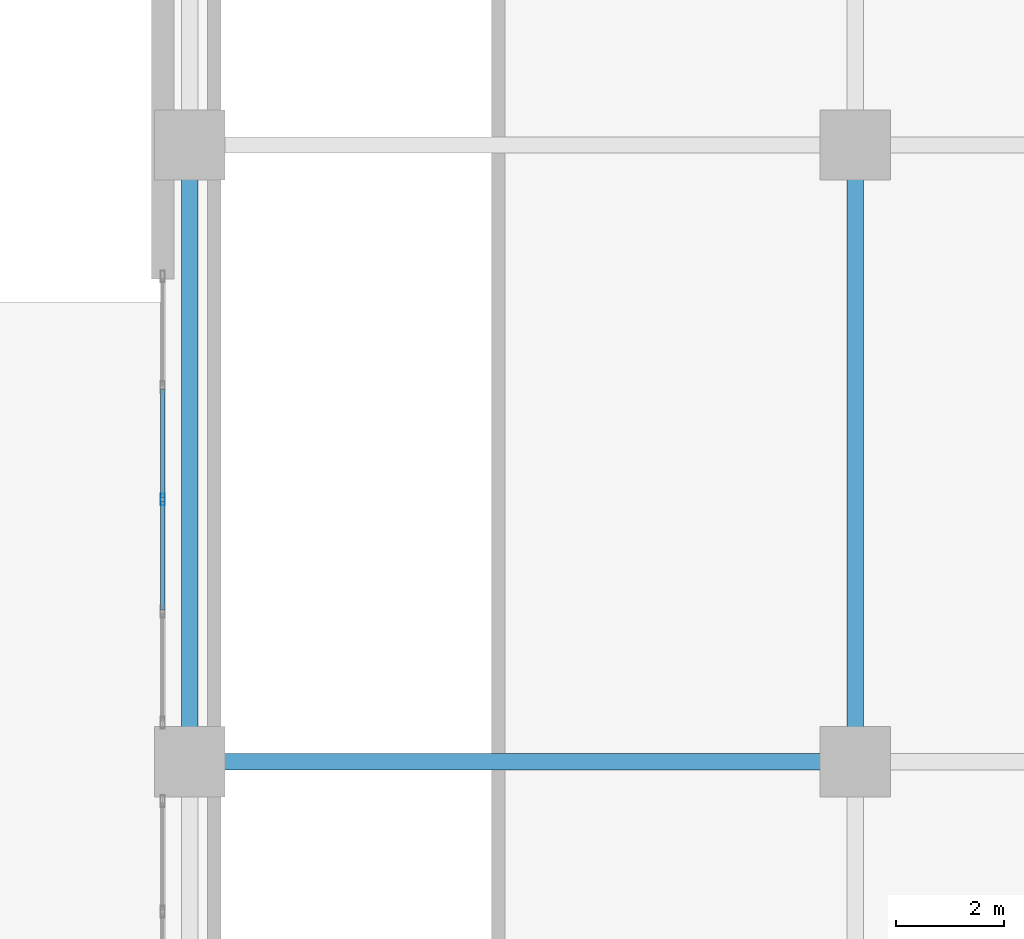
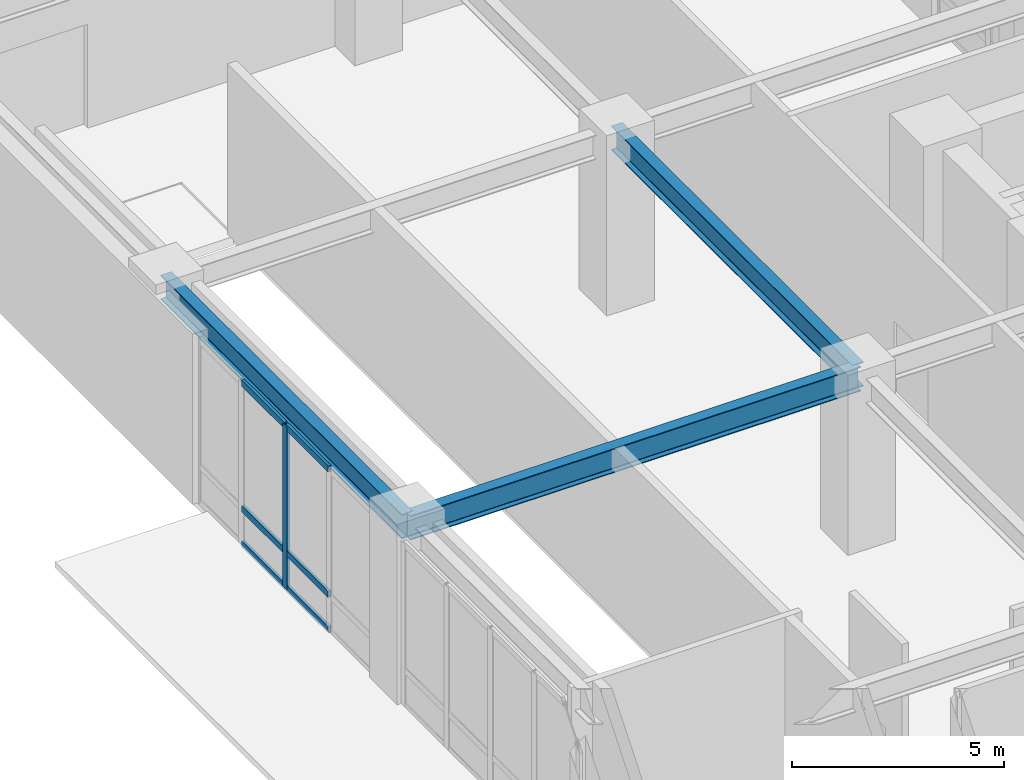
# One storey, part 4 of 23: 7 members, 3 beams, 1 element without a shape of its own.
"""IFC4 building model written with IfcOpenShell, lengths in metres."""

from ifc_helpers import new_model, si_unit, direction, frame, origin, origin_2d, place, context, subcontext, project, spatial, hollow_rectangle, i_section, extrude, material, layer, layer_set, material_profile, profile_set, type_object, element, aggregate, save


model = new_model("IFC4")

# Units and contexts
model_context = context("Model", 3, precision=1e-05, world=origin(), true_north=direction((0.0, 1.0)))
body_context = subcontext(model_context, "Body", "Model", "MODEL_VIEW")
ifc_project = project(units=[si_unit("LENGTHUNIT", "METRE"), si_unit("AREAUNIT", "SQUARE_METRE"), si_unit("VOLUMEUNIT", "CUBIC_METRE"), si_unit("PLANEANGLEUNIT", "RADIAN"), si_unit("MASSUNIT", "GRAM", prefix="KILO")], contexts=[model_context])

# Site, building, storey
site_placement = place(None, origin())
site = spatial("IfcSite", under=ifc_project, at=site_placement, CompositionType="ELEMENT")
building_placement = place(site_placement, origin())
building = spatial("IfcBuilding", under=site, at=building_placement, Name="Voryun Gate Residences", CompositionType="ELEMENT")
storey_placement = place(building_placement, origin())
storey = spatial("IfcBuildingStorey", under=building, at=storey_placement, Name="L00", CompositionType="ELEMENT", Elevation=0.0)

# Beams
ifc_material_1 = material(Name="Steel SM355", Category="steel")
ifc_material_profile_1 = material_profile(ifc_material_1, i_section(OverallWidth=0.300048828125, OverallDepth=0.699951171875, WebThickness=0.012939453125, FlangeThickness=0.02392578125, FilletRadius=0.01806640625, at=origin_2d()), Name="H-700x300x13x24")
ifc_profile_set_1 = profile_set([ifc_material_profile_1], Name="Steel SM355")
beam_type = type_object("IfcBeamType", Name="BM_GIRD_700", PredefinedType="USERDEFINED", material=ifc_profile_set_1)
beam_placement = place(storey_placement, frame((-37.89990234375, 0.0, 4.570068359375), z_axis=(1.0, 0.0, 0.0), x_axis=(0.0, 1.0, 0.0)))
element("IfcBeam", 1, at=beam_placement, inside=storey, type_object=beam_type, Name="BM-L00-PWX-+0.0-0", ObjectType="GIRDER", PredefinedType="USERDEFINED", context=body_context, shape_type="SweptSolid", body=[
    extrude(i_section(OverallWidth=0.300048828125, OverallDepth=0.699951171875, WebThickness=0.012939453125, FlangeThickness=0.02392578125, FilletRadius=0.01806640625, at=origin_2d()), origin(), (0.0, 0.0, 1.0), 12.2998046875),
])
for number, where, z_axis, x_axis, name in (
    (2, (-37.89990234375, 0.0, 4.570068359375), (0.0, 1.0, 0.0), (-1.0, 0.0, 0.0), "BM-L00-PWY--37.9-2"),
    (3, (-25.60009765625, 0.0, 4.570068359375), (0.0, 1.0, 0.0), (-1.0, 0.0, 0.0), "BM-L00-PWY--25.6-2"),
):
    element("IfcBeam", number, at=place(storey_placement, frame(where, z_axis=z_axis, x_axis=x_axis)), inside=storey, type_object=beam_type, Name=name, ObjectType="GIRDER", PredefinedType="USERDEFINED", context=body_context, shape_type="SweptSolid", body=[
        extrude(i_section(OverallWidth=0.300048828125, OverallDepth=0.699951171875, WebThickness=0.012939453125, FlangeThickness=0.02392578125, FilletRadius=0.01806640625, at=origin_2d()), origin(), (0.0, 0.0, 1.0), 11.39990234375),
    ])

# Curtain wall, members
ifc_material_2 = material(Name="Anodised aluminium", Category="aluminium")
ifc_layer = layer(ifc_material_2, 0.219970703125, Name="CW_SYS_POD_DARK_GLASS")
ifc_layer_set = layer_set([ifc_layer], Name="Anodised aluminium")
curtain_wall_type = type_object("IfcCurtainWallType", Name="CW_SYS_POD_DARK_GLASS", PredefinedType="NOTDEFINED", material=ifc_layer_set)
curtain_wall_placement = place(storey_placement, origin())
curtain_wall = element("IfcCurtainWall", 4, at=curtain_wall_placement, inside=storey, type_object=curtain_wall_type, Name="Curtain wall CW1-L00-WPW-N", PredefinedType="NOTDEFINED")
ifc_material_3 = material(Name="Anodised aluminium", Category="aluminium")
ifc_material_profile_2 = material_profile(ifc_material_3, hollow_rectangle(XDim=0.080078125, YDim=0.219970703125, WallThickness=0.0048828125, at=origin_2d()), Name="ALU-MULL-220x80x5")
ifc_profile_set_2 = profile_set([ifc_material_profile_2], Name="Anodised aluminium")
member_type_1 = type_object("IfcMemberType", Name="CW_MULL_POD", PredefinedType="MULLION", material=ifc_profile_set_2)
member_1_placement = place(storey_placement, frame((-38.39990234375, 4.847412109375, 0.0), z_axis=(0.0, 0.0, 1.0), x_axis=(-1.0, 0.0, 0.0)))
member_1 = element("IfcMember", 5, at=member_1_placement, type_object=member_type_1, Name="CW1 mullion 3", PredefinedType="MULLION", context=body_context, shape_type="SweptSolid", body=[
    extrude(hollow_rectangle(XDim=0.080078125, YDim=0.219970703125, WallThickness=0.0048828125, at=origin_2d()), origin(), (0.0, 0.0, 1.0), 4.699951171875),
])
ifc_material_4 = material(Name="Anodised aluminium", Category="aluminium")
ifc_material_profile_3 = material_profile(ifc_material_4, hollow_rectangle(XDim=0.080078125, YDim=0.179931640625, WallThickness=0.0048828125, at=origin_2d()), Name="ALU-TRAN-180x80x5")
ifc_profile_set_3 = profile_set([ifc_material_profile_3], Name="Anodised aluminium")
member_type_2 = type_object("IfcMemberType", Name="CW_TRAN_POD", PredefinedType="USERDEFINED", material=ifc_profile_set_3)
member_2_placement = place(storey_placement, frame((-38.39990234375, 2.80126953125, 0.030029296875), z_axis=(0.0, 1.0, 0.0), x_axis=(-1.0, 0.0, 0.0)))
member_2 = element("IfcMember", 6, at=member_2_placement, type_object=member_type_2, Name="CW1 transom 2.1", ObjectType="TRANSOM", PredefinedType="USERDEFINED", context=body_context, shape_type="SweptSolid", body=[
    extrude(hollow_rectangle(XDim=0.080078125, YDim=0.179931640625, WallThickness=0.0048828125, at=origin_2d()), origin(), (0.0, 0.0, 1.0), 2.01611328125),
])
member_3_placement = place(storey_placement, frame((-38.39990234375, 2.80126953125, 1.050048828125), z_axis=(0.0, 1.0, 0.0), x_axis=(-1.0, 0.0, 0.0)))
member_3 = element("IfcMember", 7, at=member_3_placement, type_object=member_type_2, Name="CW1 transom 2.2", ObjectType="TRANSOM", PredefinedType="USERDEFINED", context=body_context, shape_type="SweptSolid", body=[
    extrude(hollow_rectangle(XDim=0.080078125, YDim=0.179931640625, WallThickness=0.0048828125, at=origin_2d()), origin(), (0.0, 0.0, 1.0), 2.01611328125),
])
member_4_placement = place(storey_placement, frame((-38.39990234375, 2.80126953125, 4.669921875), z_axis=(0.0, 1.0, 0.0), x_axis=(-1.0, 0.0, 0.0)))
member_4 = element("IfcMember", 8, at=member_4_placement, type_object=member_type_2, Name="CW1 transom 2.3", ObjectType="TRANSOM", PredefinedType="USERDEFINED", context=body_context, shape_type="SweptSolid", body=[
    extrude(hollow_rectangle(XDim=0.080078125, YDim=0.179931640625, WallThickness=0.0048828125, at=origin_2d()), origin(), (0.0, 0.0, 1.0), 2.01611328125),
])
member_5_placement = place(storey_placement, frame((-38.39990234375, 4.87744140625, 0.030029296875), z_axis=(0.0, 1.0, 0.0), x_axis=(-1.0, 0.0, 0.0)))
member_5 = element("IfcMember", 9, at=member_5_placement, type_object=member_type_2, Name="CW1 transom 3.1", ObjectType="TRANSOM", PredefinedType="USERDEFINED", context=body_context, shape_type="SweptSolid", body=[
    extrude(hollow_rectangle(XDim=0.080078125, YDim=0.179931640625, WallThickness=0.0048828125, at=origin_2d()), origin(), (0.0, 0.0, 1.0), 2.016357421875),
])
member_6_placement = place(storey_placement, frame((-38.39990234375, 4.87744140625, 1.050048828125), z_axis=(0.0, 1.0, 0.0), x_axis=(-1.0, 0.0, 0.0)))
member_6 = element("IfcMember", 10, at=member_6_placement, type_object=member_type_2, Name="CW1 transom 3.2", ObjectType="TRANSOM", PredefinedType="USERDEFINED", context=body_context, shape_type="SweptSolid", body=[
    extrude(hollow_rectangle(XDim=0.080078125, YDim=0.179931640625, WallThickness=0.0048828125, at=origin_2d()), origin(), (0.0, 0.0, 1.0), 2.016357421875),
])
member_7_placement = place(storey_placement, frame((-38.39990234375, 4.87744140625, 4.669921875), z_axis=(0.0, 1.0, 0.0), x_axis=(-1.0, 0.0, 0.0)))
member_7 = element("IfcMember", 11, at=member_7_placement, type_object=member_type_2, Name="CW1 transom 3.3", ObjectType="TRANSOM", PredefinedType="USERDEFINED", context=body_context, shape_type="SweptSolid", body=[
    extrude(hollow_rectangle(XDim=0.080078125, YDim=0.179931640625, WallThickness=0.0048828125, at=origin_2d()), origin(), (0.0, 0.0, 1.0), 2.016357421875),
])
aggregate(curtain_wall, [member_1, member_2, member_3, member_4, member_5, member_6, member_7])

save(model, "model.ifc")
